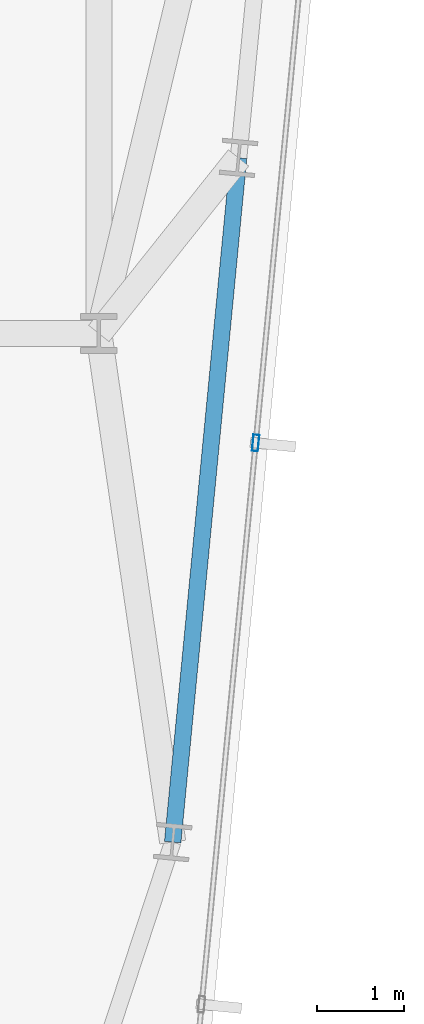
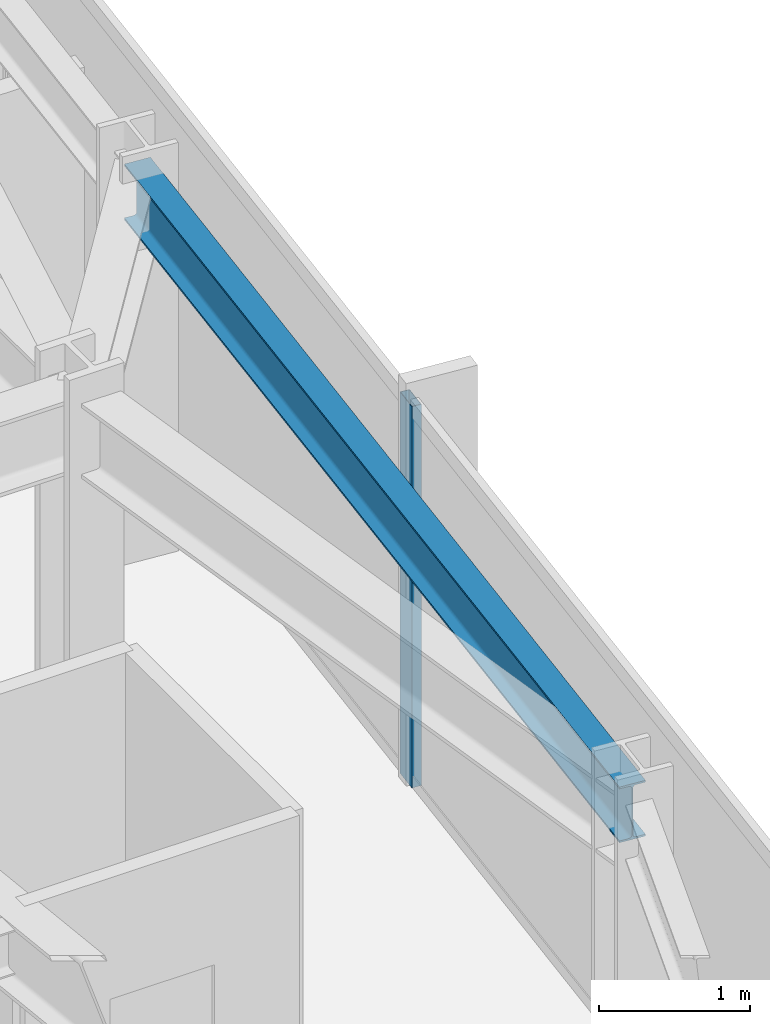
# One storey, part 16 of 38: 1 beam, 1 member, 1 element without a shape of its own.
"""IFC4 building model written with IfcOpenShell, lengths in metres."""

from ifc_helpers import new_model, si_unit, direction, frame, origin, origin_2d, place, context, subcontext, project, spatial, hollow_rectangle, i_section, extrude, material, material_profile, profile_set, type_object, element, aggregate, save


model = new_model("IFC4")

# Units and contexts
model_context = context("Model", 3, precision=1e-05, world=origin(), true_north=direction((0.0, 1.0)))
body_context = subcontext(model_context, "Body", "Model", "MODEL_VIEW")
ifc_project = project(units=[si_unit("LENGTHUNIT", "METRE"), si_unit("AREAUNIT", "SQUARE_METRE"), si_unit("VOLUMEUNIT", "CUBIC_METRE"), si_unit("PLANEANGLEUNIT", "RADIAN"), si_unit("MASSUNIT", "GRAM", prefix="KILO")], contexts=[model_context])

# Site, building, storey
site_placement = place(None, origin())
site = spatial("IfcSite", under=ifc_project, at=site_placement, CompositionType="ELEMENT")
building_placement = place(site_placement, origin())
building = spatial("IfcBuilding", under=site, at=building_placement, Name="Yelkora Congress Tower", CompositionType="ELEMENT")
storey_placement = place(building_placement, frame((0.0, 0.0, 178.699951171875)))
storey = spatial("IfcBuildingStorey", under=building, at=storey_placement, Name="L49", CompositionType="ELEMENT", Elevation=178.699951171875)

# Beam
ifc_material_1 = material(Name="Steel S355J2", Category="steel")
ifc_material_profile_1 = material_profile(ifc_material_1, i_section(OverallWidth=0.18994140625, OverallDepth=0.449951171875, WebThickness=0.009521484375, FlangeThickness=0.0146484375, FilletRadius=0.02099609375, at=origin_2d()), Name="IPE 450")
ifc_profile_set_1 = profile_set([ifc_material_profile_1], Name="Steel S355J2")
beam_type = type_object("IfcBeamType", Name="BM-SPAN-IPE450", PredefinedType="SPANDREL", material=ifc_profile_set_1)
beam_placement = place(storey_placement, frame((58.44921875, 19.353759765625, 2.85498046875), z_axis=(0.095831353931, 0.995397584689, 0.0), x_axis=(-0.995397584689, 0.095831353931, 0.0)))
element("IfcBeam", 1, at=beam_placement, inside=storey, type_object=beam_type, Name="L49 Perimeter Beam 10", PredefinedType="SPANDREL", context=body_context, shape_type="SweptSolid", body=[
    extrude(i_section(OverallWidth=0.18994140625, OverallDepth=0.449951171875, WebThickness=0.009521484375, FlangeThickness=0.0146484375, FilletRadius=0.02099609375, at=origin_2d()), origin(), (0.0, 0.0, 1.0), 7.900146484375),
])

# Curtain wall, member
ifc_material_2 = material(Name="Anodised aluminium and insulated glass", Category="aluminium")
curtain_wall_type = type_object("IfcCurtainWallType", Name="CW-SYS-B3", PredefinedType="NOTDEFINED", material=ifc_material_2)
curtain_wall_placement = place(storey_placement, origin())
curtain_wall = element("IfcCurtainWall", 2, at=curtain_wall_placement, inside=storey, type_object=curtain_wall_type, Name="L49 Unitised Curtain Wall 15", PredefinedType="NOTDEFINED")
ifc_material_3 = material(Name="Anodised aluminium 6063-T6", Category="aluminium")
ifc_material_profile_2 = material_profile(ifc_material_3, hollow_rectangle(XDim=0.070068359375, YDim=0.18994140625, WallThickness=0.00390625, at=origin_2d()), Name="ALU 70x190x4")
ifc_profile_set_2 = profile_set([ifc_material_profile_2], Name="Anodised aluminium 6063-T6")
member_type = type_object("IfcMemberType", Name="MEM-ML-B3", PredefinedType="MULLION", material=ifc_profile_set_2)
member_placement = place(storey_placement, frame((59.4033203125, 23.94140625, 0.0), z_axis=(0.0, 0.0, 1.0), x_axis=(0.995396565076, -0.095841944023, 0.0)))
member = element("IfcMember", 3, at=member_placement, type_object=member_type, Name="CW-B3 mullion 4", PredefinedType="MULLION", context=body_context, shape_type="SweptSolid", body=[
    extrude(hollow_rectangle(XDim=0.070068359375, YDim=0.18994140625, WallThickness=0.00390625, at=origin_2d()), origin(), (0.0, 0.0, 1.0), 3.080078125),
])
aggregate(curtain_wall, [member])

save(model, "model.ifc")
